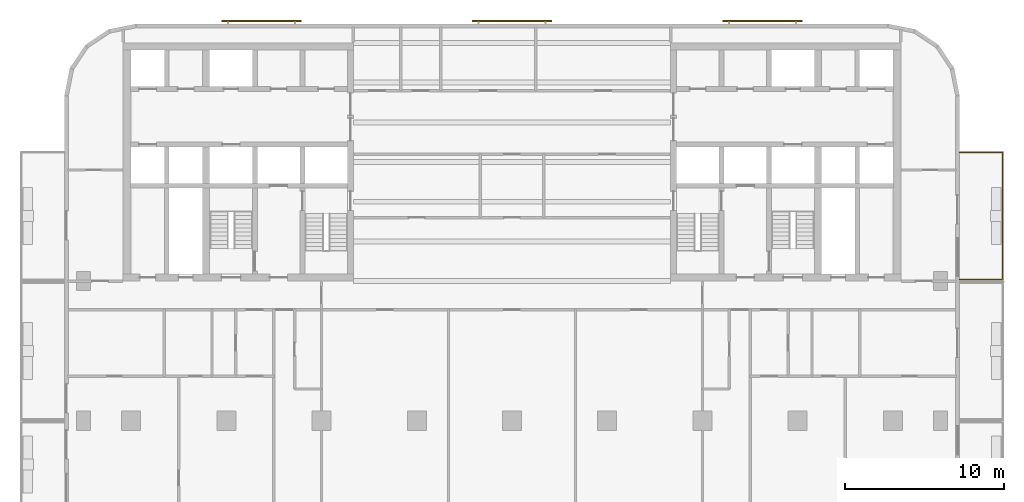
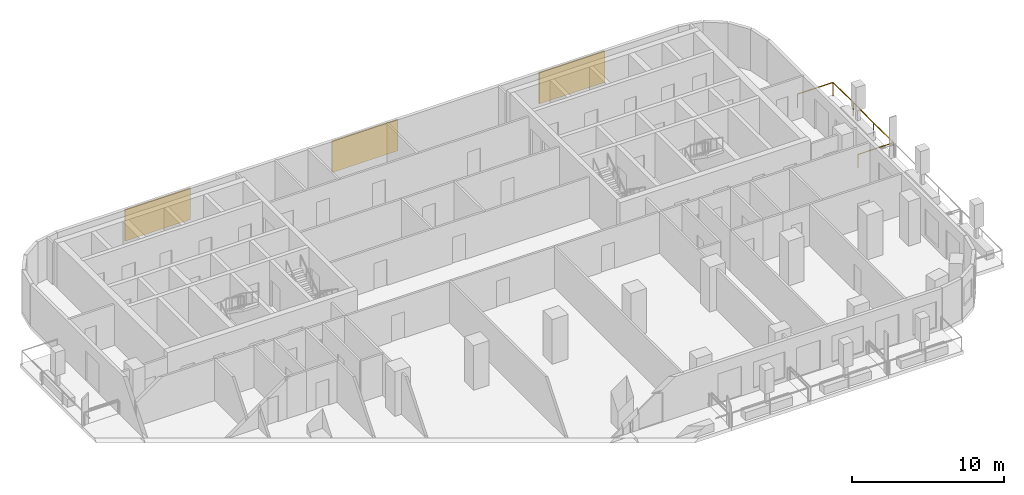
# One storey, part 10 of 11: 3 shading devices, 1 railing.
"""IFC4 building model written with IfcOpenShell, lengths in metres."""

from ifc_helpers import new_model, si_unit, direction, frame, origin, origin_2d, place, context, subcontext, project, spatial, rectangle, circle, extrude, material, layer, layer_set, type_object, element, save


model = new_model("IFC4")

# Units and contexts
model_context = context("Model", 3, precision=1e-05, world=origin(), true_north=direction((0.0, 1.0)))
body_context = subcontext(model_context, "Body", "Model", "MODEL_VIEW")
ifc_project = project(units=[si_unit("LENGTHUNIT", "METRE"), si_unit("AREAUNIT", "SQUARE_METRE"), si_unit("VOLUMEUNIT", "CUBIC_METRE"), si_unit("PLANEANGLEUNIT", "RADIAN"), si_unit("MASSUNIT", "GRAM", prefix="KILO")], contexts=[model_context])

# Site, building, storey
site_placement = place(None, origin())
site = spatial("IfcSite", under=ifc_project, at=site_placement, CompositionType="ELEMENT")
building_placement = place(site_placement, origin())
building = spatial("IfcBuilding", under=site, at=building_placement, Name="Torana Hotel and Residences", CompositionType="ELEMENT")
storey_placement = place(building_placement, frame((0.0, 0.0, 145.199951171875)))
storey = spatial("IfcBuildingStorey", under=building, at=storey_placement, Name="L37", CompositionType="ELEMENT", Elevation=145.199951171875)

# Railing
ifc_material_1 = material(Name="Laminated glass balustrade with black handrail", Category="glass")
railing_type = type_object("IfcRailingType", Name="GR1 BALCONY GUARD 1100 GLASS", PredefinedType="GUARDRAIL", material=ifc_material_1)
railing_placement = place(storey_placement, frame((28.199951171875, -6.89990234375, 0.0)))
element("IfcRailing", 1, at=railing_placement, inside=storey, type_object=railing_type, Name="Balcony guard 14", PredefinedType="GUARDRAIL", context=body_context, shape_type="SweptSolid", body=[
    extrude(circle(Radius=0.02392578125, at=origin_2d()), frame((0.0, 0.0, 1.076171875), z_axis=(1.0, 0.0, 0.0), x_axis=(0.0, 1.0, 0.0)), (0.0, 0.0, 1.0), 2.699951171875),
    extrude(circle(Radius=0.02392578125, at=origin_2d()), frame((2.699951171875, 0.0, 1.076171875), z_axis=(0.0, -1.0, 0.0), x_axis=(1.0, 0.0, 0.0)), (0.0, 0.0, 1.0), 8.0),
    extrude(circle(Radius=0.02392578125, at=origin_2d()), frame((2.699951171875, -8.0, 1.076171875), z_axis=(-1.0, 0.0, 0.0), x_axis=(0.0, -1.0, 0.0)), (0.0, 0.0, 1.0), 2.699951171875),
    extrude(circle(Radius=0.02099609375, at=origin_2d()), origin(), (0.0, 0.0, 1.0), 1.052001953125),
    extrude(circle(Radius=0.02099609375, at=origin_2d()), frame((2.699951171875, 0.0, 0.0)), (0.0, 0.0, 1.0), 1.052001953125),
    extrude(circle(Radius=0.02099609375, at=origin_2d()), frame((2.699951171875, -2.666748046875, 0.0)), (0.0, 0.0, 1.0), 1.052001953125),
    extrude(circle(Radius=0.02099609375, at=origin_2d()), frame((2.699951171875, -5.333251953125, 0.0)), (0.0, 0.0, 1.0), 1.052001953125),
    extrude(circle(Radius=0.02099609375, at=origin_2d()), frame((2.699951171875, -8.0, 0.0)), (0.0, 0.0, 1.0), 1.052001953125),
    extrude(circle(Radius=0.02099609375, at=origin_2d()), frame((0.0, -8.0, 0.0)), (0.0, 0.0, 1.0), 1.052001953125),
])

# Shading devices
ifc_material_2 = material(Name="Concrete C40/50 precast", Category="concrete")
ifc_layer = layer(ifc_material_2, 0.10009765625)
ifc_layer_set = layer_set([ifc_layer], Name="SC1 PERFORATED BLOCK SCREEN PANEL 100")
shading_device_type = type_object("IfcShadingDeviceType", Name="SC1 PERFORATED BLOCK SCREEN PANEL 100", PredefinedType="USERDEFINED", material=ifc_layer_set)
for number, where, z_axis, x_axis, name in (
    (2, (15.78369140625, 1.39990234375, 0.5), (0.0, 0.0, 1.0), (-1.0, 0.0, 0.0), "Perforated block screen L37"),
    (3, (0.0, 1.39990234375, 0.5), (0.0, 0.0, 1.0), (-1.0, 0.0, 0.0), "Perforated block screen L37"),
    (4, (-15.78369140625, 1.39990234375, 0.5), (0.0, 0.0, 1.0), (-1.0, 0.0, 0.0), "Perforated block screen L37"),
):
    element("IfcShadingDevice", number, at=place(storey_placement, frame(where, z_axis=z_axis, x_axis=x_axis)), inside=storey, type_object=shading_device_type, Name=name, ObjectType="SCREEN", PredefinedType="USERDEFINED", context=body_context, shape_type="SweptSolid", body=[
        extrude(rectangle(XDim=5.0, YDim=0.10009765625, at=origin_2d()), origin(), (0.0, 0.0, 1.0), 2.52001953125),
    ])

save(model, "model.ifc")
